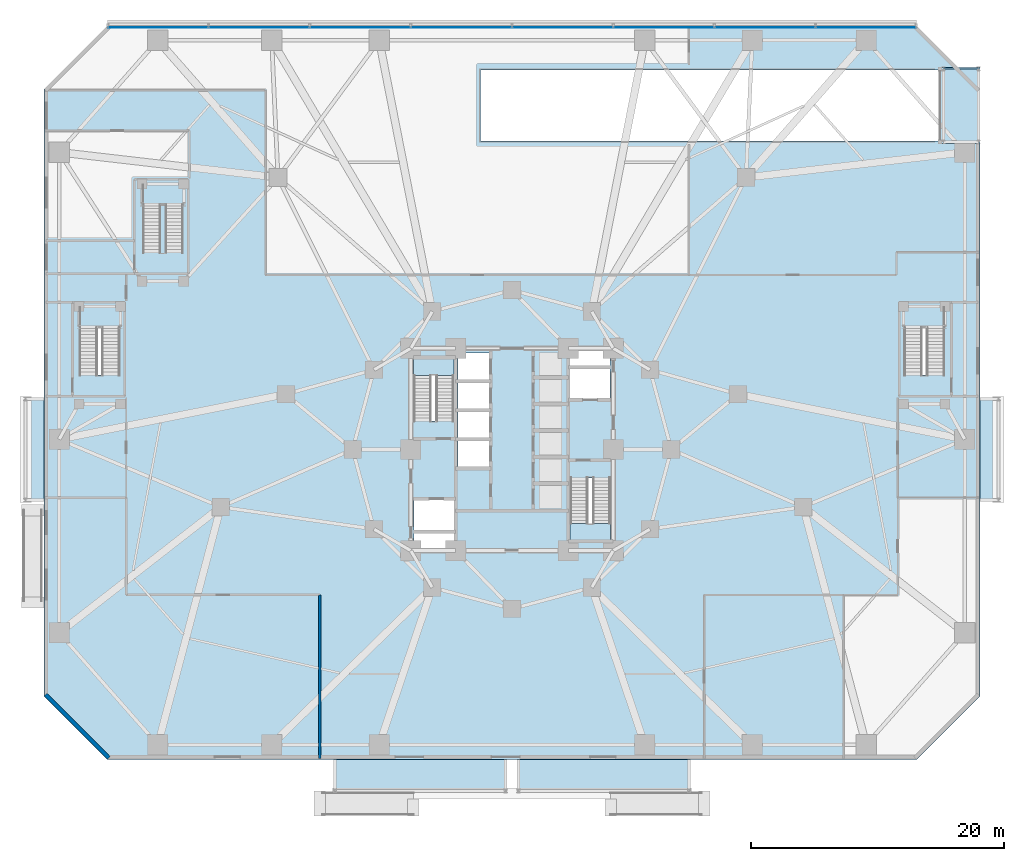
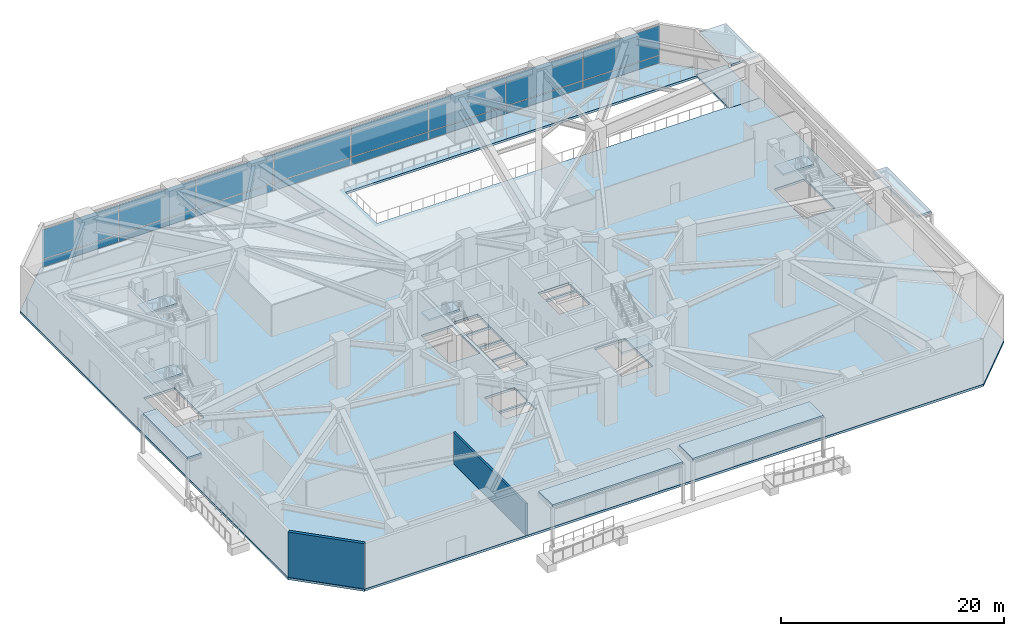
# One storey, part 15 of 30: 16 plates, 12 slabs, 2 walls, 6 elements without a shape of their own.
"""IFC4 building model written with IfcOpenShell, lengths in metres."""

from ifc_helpers import new_model, si_unit, direction, frame, frame_2d, origin, origin_2d, place, context, subcontext, project, spatial, polyline, rectangle, outline, extrude, material, layer, layer_set, type_object, element, aggregate, save


model = new_model("IFC4")

# Units and contexts
model_context = context("Model", 3, precision=1e-05, world=origin(), true_north=direction((0.0, 1.0)))
body_context = subcontext(model_context, "Body", "Model", "MODEL_VIEW")
ifc_project = project(units=[si_unit("LENGTHUNIT", "METRE"), si_unit("AREAUNIT", "SQUARE_METRE"), si_unit("VOLUMEUNIT", "CUBIC_METRE"), si_unit("PLANEANGLEUNIT", "RADIAN"), si_unit("MASSUNIT", "GRAM", prefix="KILO")], contexts=[model_context])

# Site, building, storey
site_placement = place(None, origin())
site = spatial("IfcSite", under=ifc_project, at=site_placement, CompositionType="ELEMENT")
building_placement = place(site_placement, origin())
building = spatial("IfcBuilding", under=site, at=building_placement, Name="Terralouvre Media Tower", CompositionType="ELEMENT")
storey_placement = place(building_placement, origin())
storey = spatial("IfcBuildingStorey", under=building, at=storey_placement, Name="L00", CompositionType="ELEMENT", Elevation=0.0)

# Slabs
ifc_material_1 = material(Name="Anodised extruded aluminium 6063-T6", Category="aluminium")
ifc_layer_1 = layer(ifc_material_1, 0.219970703125, Name="Entrance Drop-Off Weather Canopy Slab RF-CAN1")
ifc_layer_set_1 = layer_set([ifc_layer_1], Name="Anodised extruded aluminium 6063-T6")
slab_type_1 = type_object("IfcSlabType", Name="Entrance Drop-Off Weather Canopy Slab RF-CAN1", PredefinedType="ROOF", material=ifc_layer_set_1)
slab_1_placement = place(storey_placement, frame((0.0, 0.0, 4.199951171875)))
element("IfcSlab", 1, at=slab_1_placement, inside=storey, type_object=slab_type_1, Name="South Broadcast Main Entrance Canopy West", PredefinedType="ROOF", context=body_context, shape_type="SweptSolid", body=[
    extrude(outline(polyline([(-14.0, -27.0), (-0.5, -27.0), (-0.5, -24.5), (-14.0, -24.5), (-14.0, -27.0)])), origin(), (0.0, 0.0, 1.0), 0.219970703125),
])
slab_2_placement = place(storey_placement, frame((0.0, 0.0, 4.199951171875)))
element("IfcSlab", 2, at=slab_2_placement, inside=storey, type_object=slab_type_1, Name="South Broadcast Main Entrance Canopy East", PredefinedType="ROOF", context=body_context, shape_type="SweptSolid", body=[
    extrude(outline(polyline([(0.5, -27.0), (14.0, -27.0), (14.0, -24.5), (0.5, -24.5), (0.5, -27.0)])), origin(), (0.0, 0.0, 1.0), 0.219970703125),
])
slab_3_placement = place(storey_placement, frame((0.0, 0.0, 4.0)))
element("IfcSlab", 3, at=slab_3_placement, inside=storey, type_object=slab_type_1, Name="West Press Entrance Canopy", PredefinedType="ROOF", context=body_context, shape_type="SweptSolid", body=[
    extrude(outline(polyline([(-38.449951171875, -4.0), (-37.0, -4.0), (-37.0, 4.0), (-38.449951171875, 4.0), (-38.449951171875, -4.0)])), origin(), (0.0, 0.0, 1.0), 0.219970703125),
])
slab_4_placement = place(storey_placement, frame((0.0, 0.0, 4.0)))
element("IfcSlab", 4, at=slab_4_placement, inside=storey, type_object=slab_type_1, Name="East Studio Entrance Canopy", PredefinedType="ROOF", context=body_context, shape_type="SweptSolid", body=[
    extrude(outline(polyline([(37.0, -4.0), (38.449951171875, -4.0), (38.449951171875, 4.0), (37.0, 4.0), (37.0, -4.0)])), origin(), (0.0, 0.0, 1.0), 0.219970703125),
])
slab_5_placement = place(storey_placement, frame((0.0, 0.0, 4.39990234375)))
element("IfcSlab", 5, at=slab_5_placement, inside=storey, type_object=slab_type_1, Name="North Service Portal Weather Canopy", PredefinedType="ROOF", context=body_context, shape_type="SweptSolid", body=[
    extrude(outline(polyline([(34.10009765625, 24.300048828125), (36.89990234375, 24.300048828125), (36.89990234375, 30.10009765625), (34.10009765625, 30.10009765625), (34.10009765625, 24.300048828125)])), origin(), (0.0, 0.0, 1.0), 0.22021484375),
])
ifc_material_2 = material(Name="Concrete C40/50", Category="concrete")
ifc_layer_2 = layer(ifc_material_2, 0.22998046875, Name="Exterior Driveway Apron Slab S-APR230")
ifc_layer_set_2 = layer_set([ifc_layer_2], Name="Concrete C40/50")
slab_type_2 = type_object("IfcSlabType", Name="Exterior Driveway Apron Slab S-APR230", PredefinedType="BASESLAB", material=ifc_layer_set_2)
slab_6_placement = place(storey_placement, frame((0.0, 0.0, -0.22998046875)))
element("IfcSlab", 6, at=slab_6_placement, inside=storey, type_object=slab_type_2, Name="L00 Ramp Exterior Driveway Apron", PredefinedType="BASESLAB", context=body_context, shape_type="SweptSolid", body=[
    extrude(outline(polyline([(33.85009765625, 24.199951171875), (37.0, 24.199951171875), (37.0, 30.199951171875), (33.85009765625, 30.199951171875), (33.85009765625, 24.199951171875)])), origin(), (0.0, 0.0, 1.0), 0.22998046875),
])
ifc_material_3 = material(Name="Concrete C45/55", Category="concrete")
ifc_layer_3 = layer(ifc_material_3, 0.25, Name="Podium Acoustic Studio Slab S-POD250")
ifc_layer_set_3 = layer_set([ifc_layer_3], Name="Concrete C45/55")
slab_type_3 = type_object("IfcSlabType", Name="Podium Acoustic Studio Slab S-POD250", PredefinedType="FLOOR", material=ifc_layer_set_3)
slab_7_placement = place(storey_placement, frame((0.0, 0.0, -0.25)))
element("IfcSlab", 7, at=slab_7_placement, inside=storey, type_object=slab_type_3, Name="L00 Structural Floor Slab", PredefinedType="FLOOR", context=body_context, shape_type="SweptSolid", body=[
    extrude(outline(polyline([(37.0, 24.199951171875), (33.85009765625, 24.199951171875), (33.85009765625, 24.39990234375), (-2.47998046875, 24.39990234375), (-2.47998046875, 30.0), (33.85009765625, 30.0), (33.85009765625, 30.199951171875), (35.300048828125, 30.199951171875), (32.0, 33.5), (-32.0, 33.5), (-37.0, 28.5), (-37.0, -19.5), (-32.0, -24.5), (32.0, -24.5), (37.0, -19.5), (37.0, 24.199951171875)]), holes=[polyline([(-4.60009765625, -6.60009765625), (-4.60009765625, -7.800048828125), (-7.75, -7.800048828125), (-7.75, -6.60009765625), (-4.60009765625, -6.60009765625)]), polyline([(-4.60009765625, -6.39990234375), (-7.75, -6.39990234375), (-7.75, -3.949951171875), (-4.60009765625, -3.949951171875), (-4.60009765625, -6.39990234375)]), polyline([(-1.75, -1.419921875), (-4.25, -1.419921875), (-4.25, 0.719970703125), (-1.75, 0.719970703125), (-1.75, -1.419921875)]), polyline([(-1.75, 3.02001953125), (-1.75, 0.8798828125), (-4.25, 0.8798828125), (-4.25, 3.02001953125), (-1.75, 3.02001953125)]), polyline([(-1.75, 3.179931640625), (-4.25, 3.179931640625), (-4.25, 5.320068359375), (-1.75, 5.320068359375), (-1.75, 3.179931640625)]), polyline([(-4.60009765625, 2.2451171875), (-7.780029296875, 2.2451171875), (-7.780029296875, 7.260009765625), (-4.60009765625, 7.260009765625), (-4.60009765625, 2.2451171875)]), polyline([(-31.0, 11.25), (-31.0, 5.875), (-34.199951171875, 5.875), (-34.199951171875, 11.25), (-31.0, 11.25)]), polyline([(4.60009765625, -2.2451171875), (7.780029296875, -2.2451171875), (7.780029296875, -7.260009765625), (4.60009765625, -7.260009765625), (4.60009765625, -2.2451171875)]), polyline([(7.75, 3.949951171875), (4.60009765625, 3.949951171875), (4.60009765625, 6.39990234375), (7.75, 6.39990234375), (7.75, 3.949951171875)]), polyline([(-1.75, 5.47998046875), (-4.25, 5.47998046875), (-4.25, 7.6201171875), (-1.75, 7.6201171875), (-1.75, 5.47998046875)]), polyline([(7.75, 6.60009765625), (4.60009765625, 6.60009765625), (4.60009765625, 7.800048828125), (7.75, 7.800048828125), (7.75, 6.60009765625)]), polyline([(34.199951171875, 5.875), (31.0, 5.875), (31.0, 11.25), (34.199951171875, 11.25), (34.199951171875, 5.875)])]), origin(), (0.0, 0.0, 1.0), 0.25),
])

# Stair, slab
ifc_material_4 = material(Name="Concrete C45/55", Category="concrete")
stair_type_1 = type_object("IfcStairType", Name="Dogleg Stair Assembly ST-01", PredefinedType="HALF_TURN_STAIR", material=ifc_material_4)
stair_1_placement = place(storey_placement, origin())
stair_1 = element("IfcStair", 8, at=stair_1_placement, inside=storey, type_object=stair_type_1, Name="L00 Core Pressurised Exit Stair ST-01", PredefinedType="HALF_TURN_STAIR")
ifc_material_5 = material(Name="Concrete C45/55", Category="concrete")
ifc_layer_4 = layer(ifc_material_5, 0.199951171875, Name="Reinforced Concrete Stair Half-Landing SL-LD1")
ifc_layer_set_4 = layer_set([ifc_layer_4], Name="Concrete C45/55")
slab_type_4 = type_object("IfcSlabType", Name="Reinforced Concrete Stair Half-Landing SL-LD1", PredefinedType="LANDING", material=ifc_layer_set_4)
slab_8_placement = place(storey_placement, frame((0.0, 0.0, 2.39990234375)))
slab_8 = element("IfcSlab", 9, at=slab_8_placement, type_object=slab_type_4, Name="ST-01 landing 1", PredefinedType="LANDING", context=body_context, shape_type="SweptSolid", body=[
    extrude(outline(polyline([(-4.60009765625, 5.860107421875), (-4.60009765625, 7.260009765625), (-7.780029296875, 7.260009765625), (-7.780029296875, 5.860107421875), (-4.60009765625, 5.860107421875)])), origin(), (0.0, 0.0, 1.0), 0.2001953125),
])
aggregate(stair_1, [slab_8])

ifc_material_6 = material(Name="Concrete C45/55", Category="concrete")
stair_type_2 = type_object("IfcStairType", Name="Dogleg Stair Assembly ST-02", PredefinedType="HALF_TURN_STAIR", material=ifc_material_6)
stair_2_placement = place(storey_placement, origin())
stair_2 = element("IfcStair", 10, at=stair_2_placement, inside=storey, type_object=stair_type_2, Name="L00 Core Pressurised Exit Stair ST-02", PredefinedType="HALF_TURN_STAIR")
slab_9_placement = place(storey_placement, frame((0.0, 0.0, 2.39990234375)))
slab_9 = element("IfcSlab", 11, at=slab_9_placement, type_object=slab_type_4, Name="ST-02 landing 1", PredefinedType="LANDING", context=body_context, shape_type="SweptSolid", body=[
    extrude(outline(polyline([(4.60009765625, -5.860107421875), (4.60009765625, -7.260009765625), (7.780029296875, -7.260009765625), (7.780029296875, -5.860107421875), (4.60009765625, -5.860107421875)])), origin(), (0.0, 0.0, 1.0), 0.2001953125),
])
aggregate(stair_2, [slab_9])

ifc_material_7 = material(Name="Concrete C45/55", Category="concrete")
stair_type_3 = type_object("IfcStairType", Name="Dogleg Stair Assembly ST-03", PredefinedType="HALF_TURN_STAIR", material=ifc_material_7)
stair_3_placement = place(storey_placement, origin())
stair_3 = element("IfcStair", 12, at=stair_3_placement, inside=storey, type_object=stair_type_3, Name="L00 West Podium Exit Stair ST-03", PredefinedType="HALF_TURN_STAIR")
slab_10_placement = place(storey_placement, frame((0.0, 0.0, 2.39990234375)))
slab_10 = element("IfcSlab", 13, at=slab_10_placement, type_object=slab_type_4, Name="ST-03 landing 1", PredefinedType="LANDING", context=body_context, shape_type="SweptSolid", body=[
    extrude(outline(polyline([(-31.0, 9.6298828125), (-31.0, 11.25), (-34.199951171875, 11.25), (-34.199951171875, 9.6298828125), (-31.0, 9.6298828125)])), origin(), (0.0, 0.0, 1.0), 0.2001953125),
])
aggregate(stair_3, [slab_10])

ifc_material_8 = material(Name="Concrete C45/55", Category="concrete")
stair_type_4 = type_object("IfcStairType", Name="Dogleg Stair Assembly ST-04", PredefinedType="HALF_TURN_STAIR", material=ifc_material_8)
stair_4_placement = place(storey_placement, origin())
stair_4 = element("IfcStair", 14, at=stair_4_placement, inside=storey, type_object=stair_type_4, Name="L00 East Podium Exit Stair ST-04", PredefinedType="HALF_TURN_STAIR")
slab_11_placement = place(storey_placement, frame((0.0, 0.0, 2.39990234375)))
slab_11 = element("IfcSlab", 15, at=slab_11_placement, type_object=slab_type_4, Name="ST-04 landing 1", PredefinedType="LANDING", context=body_context, shape_type="SweptSolid", body=[
    extrude(outline(polyline([(34.199951171875, 9.6298828125), (34.199951171875, 11.25), (31.0, 11.25), (31.0, 9.6298828125), (34.199951171875, 9.6298828125)])), origin(), (0.0, 0.0, 1.0), 0.2001953125),
])
aggregate(stair_4, [slab_11])

ifc_material_9 = material(Name="Concrete C45/55", Category="concrete")
stair_type_5 = type_object("IfcStairType", Name="Dogleg Stair Assembly ST-06", PredefinedType="HALF_TURN_STAIR", material=ifc_material_9)
stair_5_placement = place(storey_placement, origin())
stair_5 = element("IfcStair", 16, at=stair_5_placement, inside=storey, type_object=stair_type_5, Name="L00 Podium Garden Visitor Stair ST-06", PredefinedType="HALF_TURN_STAIR")
slab_12_placement = place(storey_placement, frame((0.0, 0.0, 2.39990234375)))
slab_12 = element("IfcSlab", 17, at=slab_12_placement, type_object=slab_type_4, Name="ST-06 landing 1", PredefinedType="LANDING", context=body_context, shape_type="SweptSolid", body=[
    extrude(outline(polyline([(-26.0, 19.330078125), (-26.0, 20.949951171875), (-29.199951171875, 20.949951171875), (-29.199951171875, 19.330078125), (-26.0, 19.330078125)])), origin(), (0.0, 0.0, 1.0), 0.2001953125),
])
aggregate(stair_5, [slab_12])

# Curtain wall, plates
ifc_material_10 = material(Name="Low-iron laminated double glazing with solar-control coating", Category="glass")
ifc_layer_5 = layer(ifc_material_10, 0.1650390625, Name="Podium Broadcast Gallery Glazing CW-01")
ifc_layer_set_5 = layer_set([ifc_layer_5], Name="Low-iron laminated double glazing with solar-control coating")
curtain_wall_type = type_object("IfcCurtainWallType", Name="Podium Broadcast Gallery Glazing CW-01", PredefinedType="NOTDEFINED", material=ifc_layer_set_5)
curtain_wall_placement = place(storey_placement, origin())
curtain_wall = element("IfcCurtainWall", 18, at=curtain_wall_placement, inside=storey, type_object=curtain_wall_type, Name="L00 Podium Curtain Wall F4", PredefinedType="NOTDEFINED")
ifc_material_11 = material(Name="Low-iron laminated double glazing with solar-control coating", Category="glass")
ifc_layer_6 = layer(ifc_material_11, 0.035888671875, Name="Vision Double-Glazed Unit CWP-01")
ifc_layer_set_6 = layer_set([ifc_layer_6], Name="Low-iron laminated double glazing with solar-control coating")
plate_type = type_object("IfcPlateType", Name="Vision Double-Glazed Unit CWP-01", PredefinedType="CURTAIN_PANEL", material=ifc_layer_set_6)
plate_1_placement = place(storey_placement, frame((27.981201171875, 33.360107421875, 0.074951171875), z_axis=(0.0, 0.0, 1.0), x_axis=(-1.0, 0.0, 0.0)))
plate_1 = element("IfcPlate", 19, at=plate_1_placement, type_object=plate_type, Name="CW-01 panel 1.1", PredefinedType="CURTAIN_PANEL", context=body_context, shape_type="SweptSolid", body=[
    extrude(rectangle(XDim=7.887451171875, YDim=0.035888671875, at=origin_2d()), origin(), (0.0, 0.0, 1.0), 0.78759765625),
])
plate_2_placement = place(storey_placement, frame((27.981201171875, 33.360107421875, 0.9375), z_axis=(0.0, 0.0, 1.0), x_axis=(-1.0, 0.0, 0.0)))
plate_2 = element("IfcPlate", 20, at=plate_2_placement, type_object=plate_type, Name="CW-01 panel 1.2", PredefinedType="CURTAIN_PANEL", context=body_context, shape_type="SweptSolid", body=[
    extrude(rectangle(XDim=7.887451171875, YDim=0.035888671875, at=origin_2d()), origin(), (0.0, 0.0, 1.0), 3.217529296875),
])
plate_3_placement = place(storey_placement, frame((20.0, 33.360107421875, 0.074951171875), z_axis=(0.0, 0.0, 1.0), x_axis=(-1.0, 0.0, 0.0)))
plate_3 = element("IfcPlate", 21, at=plate_3_placement, type_object=plate_type, Name="CW-01 panel 2.1", PredefinedType="CURTAIN_PANEL", context=body_context, shape_type="SweptSolid", body=[
    extrude(rectangle(XDim=7.925048828125, YDim=0.035888671875, at=origin_2d()), origin(), (0.0, 0.0, 1.0), 0.78759765625),
])
plate_4_placement = place(storey_placement, frame((20.0, 33.360107421875, 0.9375), z_axis=(0.0, 0.0, 1.0), x_axis=(-1.0, 0.0, 0.0)))
plate_4 = element("IfcPlate", 22, at=plate_4_placement, type_object=plate_type, Name="CW-01 panel 2.2", PredefinedType="CURTAIN_PANEL", context=body_context, shape_type="SweptSolid", body=[
    extrude(rectangle(XDim=7.925048828125, YDim=0.035888671875, at=origin_2d()), origin(), (0.0, 0.0, 1.0), 3.217529296875),
])
plate_5_placement = place(storey_placement, frame((12.0, 33.360107421875, 0.074951171875), z_axis=(0.0, 0.0, 1.0), x_axis=(-1.0, 0.0, 0.0)))
plate_5 = element("IfcPlate", 23, at=plate_5_placement, type_object=plate_type, Name="CW-01 panel 3.1", PredefinedType="CURTAIN_PANEL", context=body_context, shape_type="SweptSolid", body=[
    extrude(rectangle(XDim=7.925048828125, YDim=0.035888671875, at=origin_2d()), origin(), (0.0, 0.0, 1.0), 0.78759765625),
])
plate_6_placement = place(storey_placement, frame((12.0, 33.360107421875, 0.9375), z_axis=(0.0, 0.0, 1.0), x_axis=(-1.0, 0.0, 0.0)))
plate_6 = element("IfcPlate", 24, at=plate_6_placement, type_object=plate_type, Name="CW-01 panel 3.2", PredefinedType="CURTAIN_PANEL", context=body_context, shape_type="SweptSolid", body=[
    extrude(rectangle(XDim=7.925048828125, YDim=0.035888671875, at=origin_2d()), origin(), (0.0, 0.0, 1.0), 3.217529296875),
])
plate_7_placement = place(storey_placement, frame((4.0, 33.360107421875, 0.074951171875), z_axis=(0.0, 0.0, 1.0), x_axis=(-1.0, 0.0, 0.0)))
plate_7 = element("IfcPlate", 25, at=plate_7_placement, type_object=plate_type, Name="CW-01 panel 4.1", PredefinedType="CURTAIN_PANEL", context=body_context, shape_type="SweptSolid", body=[
    extrude(rectangle(XDim=7.925048828125, YDim=0.035888671875, at=origin_2d()), origin(), (0.0, 0.0, 1.0), 0.78759765625),
])
plate_8_placement = place(storey_placement, frame((4.0, 33.360107421875, 0.9375), z_axis=(0.0, 0.0, 1.0), x_axis=(-1.0, 0.0, 0.0)))
plate_8 = element("IfcPlate", 26, at=plate_8_placement, type_object=plate_type, Name="CW-01 panel 4.2", PredefinedType="CURTAIN_PANEL", context=body_context, shape_type="SweptSolid", body=[
    extrude(rectangle(XDim=7.925048828125, YDim=0.035888671875, at=origin_2d()), origin(), (0.0, 0.0, 1.0), 3.217529296875),
])
plate_9_placement = place(storey_placement, frame((-4.0, 33.360107421875, 0.074951171875), z_axis=(0.0, 0.0, 1.0), x_axis=(-1.0, 0.0, 0.0)))
plate_9 = element("IfcPlate", 27, at=plate_9_placement, type_object=plate_type, Name="CW-01 panel 5.1", PredefinedType="CURTAIN_PANEL", context=body_context, shape_type="SweptSolid", body=[
    extrude(rectangle(XDim=7.925048828125, YDim=0.035888671875, at=origin_2d()), origin(), (0.0, 0.0, 1.0), 0.78759765625),
])
plate_10_placement = place(storey_placement, frame((-4.0, 33.360107421875, 0.9375), z_axis=(0.0, 0.0, 1.0), x_axis=(-1.0, 0.0, 0.0)))
plate_10 = element("IfcPlate", 28, at=plate_10_placement, type_object=plate_type, Name="CW-01 panel 5.2", PredefinedType="CURTAIN_PANEL", context=body_context, shape_type="SweptSolid", body=[
    extrude(rectangle(XDim=7.925048828125, YDim=0.035888671875, at=origin_2d()), origin(), (0.0, 0.0, 1.0), 3.217529296875),
])
plate_11_placement = place(storey_placement, frame((-12.0, 33.360107421875, 0.074951171875), z_axis=(0.0, 0.0, 1.0), x_axis=(-1.0, 0.0, 0.0)))
plate_11 = element("IfcPlate", 29, at=plate_11_placement, type_object=plate_type, Name="CW-01 panel 6.1", PredefinedType="CURTAIN_PANEL", context=body_context, shape_type="SweptSolid", body=[
    extrude(rectangle(XDim=7.925048828125, YDim=0.035888671875, at=origin_2d()), origin(), (0.0, 0.0, 1.0), 0.78759765625),
])
plate_12_placement = place(storey_placement, frame((-12.0, 33.360107421875, 0.9375), z_axis=(0.0, 0.0, 1.0), x_axis=(-1.0, 0.0, 0.0)))
plate_12 = element("IfcPlate", 30, at=plate_12_placement, type_object=plate_type, Name="CW-01 panel 6.2", PredefinedType="CURTAIN_PANEL", context=body_context, shape_type="SweptSolid", body=[
    extrude(rectangle(XDim=7.925048828125, YDim=0.035888671875, at=origin_2d()), origin(), (0.0, 0.0, 1.0), 3.217529296875),
])
plate_13_placement = place(storey_placement, frame((-20.0, 33.360107421875, 0.074951171875), z_axis=(0.0, 0.0, 1.0), x_axis=(-1.0, 0.0, 0.0)))
plate_13 = element("IfcPlate", 31, at=plate_13_placement, type_object=plate_type, Name="CW-01 panel 7.1", PredefinedType="CURTAIN_PANEL", context=body_context, shape_type="SweptSolid", body=[
    extrude(rectangle(XDim=7.925048828125, YDim=0.035888671875, at=origin_2d()), origin(), (0.0, 0.0, 1.0), 0.78759765625),
])
plate_14_placement = place(storey_placement, frame((-20.0, 33.360107421875, 0.9375), z_axis=(0.0, 0.0, 1.0), x_axis=(-1.0, 0.0, 0.0)))
plate_14 = element("IfcPlate", 32, at=plate_14_placement, type_object=plate_type, Name="CW-01 panel 7.2", PredefinedType="CURTAIN_PANEL", context=body_context, shape_type="SweptSolid", body=[
    extrude(rectangle(XDim=7.925048828125, YDim=0.035888671875, at=origin_2d()), origin(), (0.0, 0.0, 1.0), 3.217529296875),
])
plate_15_placement = place(storey_placement, frame((-27.981201171875, 33.360107421875, 0.074951171875), z_axis=(0.0, 0.0, 1.0), x_axis=(-1.0, 0.0, 0.0)))
plate_15 = element("IfcPlate", 33, at=plate_15_placement, type_object=plate_type, Name="CW-01 panel 8.1", PredefinedType="CURTAIN_PANEL", context=body_context, shape_type="SweptSolid", body=[
    extrude(rectangle(XDim=7.887451171875, YDim=0.035888671875, at=origin_2d()), origin(), (0.0, 0.0, 1.0), 0.78759765625),
])
plate_16_placement = place(storey_placement, frame((-27.981201171875, 33.360107421875, 0.9375), z_axis=(0.0, 0.0, 1.0), x_axis=(-1.0, 0.0, 0.0)))
plate_16 = element("IfcPlate", 34, at=plate_16_placement, type_object=plate_type, Name="CW-01 panel 8.2", PredefinedType="CURTAIN_PANEL", context=body_context, shape_type="SweptSolid", body=[
    extrude(rectangle(XDim=7.887451171875, YDim=0.035888671875, at=origin_2d()), origin(), (0.0, 0.0, 1.0), 3.217529296875),
])
aggregate(curtain_wall, [plate_1, plate_2, plate_3, plate_4, plate_5, plate_6, plate_7, plate_8, plate_9, plate_10, plate_11, plate_12, plate_13, plate_14, plate_15, plate_16])

# Walls
ifc_material_12 = material(Name="Fire-rated gypsum board drywall partition")
ifc_layer_7 = layer(ifc_material_12, 0.199951171875, Name="Fire-Rated Shaft and Lobby Partition FW-200")
ifc_layer_set_7 = layer_set([ifc_layer_7], Name="Fire-rated gypsum board drywall partition")
wall_type_1 = type_object("IfcWallType", Name="Fire-Rated Shaft and Lobby Partition FW-200", PredefinedType="SOLIDWALL", material=ifc_layer_set_7)
wall_1_placement = place(storey_placement, frame((-15.199951171875, -11.5, 0.0), z_axis=(0.0, 0.0, 1.0), x_axis=(0.0, -1.0, 0.0)))
element("IfcWall", 35, at=wall_1_placement, inside=storey, type_object=wall_type_1, Name="L00 Interior Partition 003", PredefinedType="SOLIDWALL", context=body_context, shape_type="SweptSolid", body=[
    extrude(rectangle(XDim=12.919921875, YDim=0.199951171875, at=frame_2d((6.4599609375, 0.0))), origin(), (0.0, 0.0, 1.0), 3.43505859375),
])
ifc_material_13 = material(Name="Kiln-fired architectural terracotta rainscreen cladding", Category="masonry")
ifc_layer_8 = layer(ifc_material_13, 0.300048828125, Name="Podium Acoustic Terracotta Cladding Wall EW-TC300")
ifc_layer_set_8 = layer_set([ifc_layer_8], Name="Kiln-fired architectural terracotta rainscreen cladding")
wall_type_2 = type_object("IfcWallType", Name="Podium Acoustic Terracotta Cladding Wall EW-TC300", PredefinedType="SOLIDWALL", material=ifc_layer_set_8)
wall_2_placement = place(storey_placement, frame((-36.876220703125, -19.376220703125, 0.0), z_axis=(0.0, 0.0, 1.0), x_axis=(0.707106781187, -0.707106781187, 0.0)))
element("IfcWall", 36, at=wall_2_placement, inside=storey, type_object=wall_type_2, Name="L00 Podium Terracotta Wall F7", PredefinedType="SOLIDWALL", context=body_context, shape_type="SweptSolid", body=[
    extrude(rectangle(XDim=7.071044921875, YDim=0.300048828125, at=frame_2d((3.53564453125, 0.0))), origin(), (0.0, 0.0, 1.0), 4.949951171875),
])

save(model, "model.ifc")
